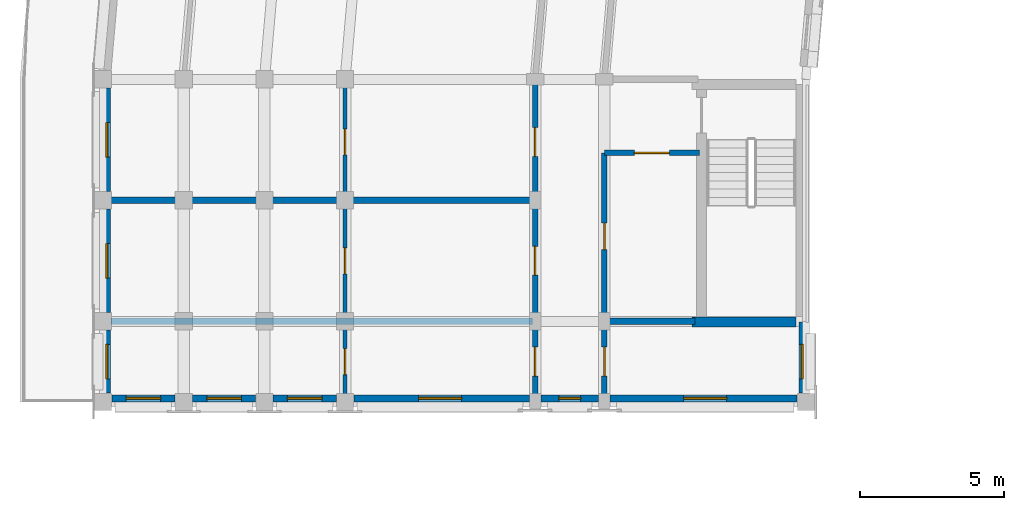
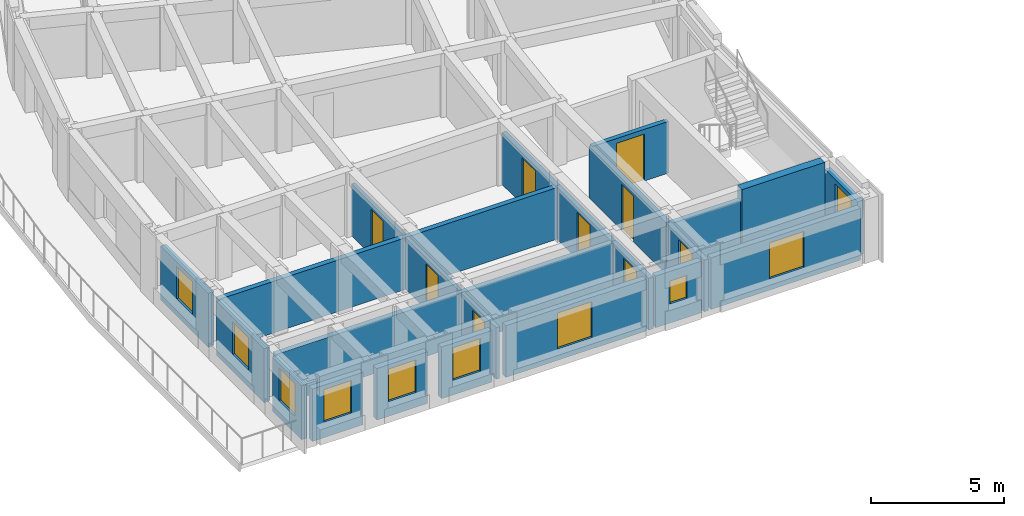
# One storey, part 11 of 32: 23 walls, 10 windows, 9 doors, 19 openings.
"""IFC4 building model written with IfcOpenShell, lengths in metres."""

from ifc_helpers import new_model, si_unit, direction, frame, frame_2d, origin, place, context, subcontext, project, spatial, rectangle, extrude, material, layer, layer_set, type_object, element, fill, save


model = new_model("IFC4")

# Units and contexts
model_context = context("Model", 3, precision=1e-05, world=origin(), true_north=direction((0.0, 1.0)))
body_context = subcontext(model_context, "Body", "Model", "MODEL_VIEW")
ifc_project = project(units=[si_unit("LENGTHUNIT", "METRE"), si_unit("AREAUNIT", "SQUARE_METRE"), si_unit("VOLUMEUNIT", "CUBIC_METRE"), si_unit("PLANEANGLEUNIT", "RADIAN"), si_unit("MASSUNIT", "GRAM", prefix="KILO")], contexts=[model_context])

# Site, building, storey
site_placement = place(None, origin())
site = spatial("IfcSite", under=ifc_project, at=site_placement, CompositionType="ELEMENT")
building_placement = place(site_placement, origin())
building = spatial("IfcBuilding", under=site, at=building_placement, Name="Kiranvali Square Residences", CompositionType="ELEMENT")
storey_placement = place(building_placement, frame((0.0, 0.0, 40.199951171875)))
storey = spatial("IfcBuildingStorey", under=building, at=storey_placement, Name="L12", CompositionType="ELEMENT", Elevation=40.199951171875)

# Wall, opening, door
ifc_material_1 = material(Name="Autoclaved aerated concrete blockwork masonry", Category="masonry")
ifc_layer_1 = layer(ifc_material_1, 0.199951171875)
ifc_layer_set_1 = layer_set([ifc_layer_1], Name="Autoclaved aerated concrete blockwork masonry")
wall_type_1 = type_object("IfcWallType", Name="WL-COR-200", PredefinedType="STANDARD", material=ifc_layer_set_1)
wall_1_placement = place(storey_placement, frame((25.699951171875, 85.25, 0.0), z_axis=(0.0, 0.0, 1.0), x_axis=(-1.0, 0.0, 0.0)))
wall_1 = element("IfcWall", 1, at=wall_1_placement, inside=storey, type_object=wall_type_1, Name="L12 architectural wall WL-L12-A-S3-V", PredefinedType="STANDARD", context=body_context, shape_type="SweptSolid", body=[
    extrude(rectangle(XDim=3.300048828125, YDim=0.199951171875, at=frame_2d((1.64990234375, 0.0))), origin(), (0.0, 0.0, 1.0), 2.3720703125),
])
opening_1_placement = place(wall_1_placement, frame((1.0400390625, 0.0, 0.0)))
opening_1 = element("IfcOpeningElement", 2, at=opening_1_placement, cuts=wall_1, Name="Opening FD-COR-60", PredefinedType="OPENING", context=body_context, shape_type="SweptSolid", body=[
    extrude(rectangle(XDim=1.219970703125, YDim=2.14990234375, at=frame_2d((0.60986328125, 1.074951171875))), frame((0.0, 0.10986328125, 0.0), z_axis=(0.0, -1.0, 0.0), x_axis=(1.0, 0.0, 0.0)), (0.0, 0.0, 1.0), 0.219970703125),
])
ifc_material_2 = material(Name="Fire-rated acoustic hardwood and mineral-core door assembly", Category="wood")
door_type_1 = type_object("IfcDoorType", Name="DR-FD60-1200", OperationType="NOTDEFINED", PredefinedType="DOOR", material=ifc_material_2)
door_1_placement = place(opening_1_placement, origin())
door_1 = element("IfcDoor", 3, at=door_1_placement, inside=storey, type_object=door_type_1, Name="L12 door DR-L12-0749 (DR-FD60-1200)", OperationType="SINGLE_SWING_LEFT", OverallHeight=2.14990234375, OverallWidth=1.219970703125, PredefinedType="DOOR", context=body_context, shape_type="SweptSolid", body=[
    extrude(rectangle(XDim=1.219970703125, YDim=2.14990234375, at=frame_2d((0.60986328125, 1.074951171875))), frame((0.0, 0.02490234375, 0.0), z_axis=(0.0, -1.0, 0.0), x_axis=(1.0, 0.0, 0.0)), (0.0, 0.0, 1.0), 0.050048828125),
])
fill(opening_1, door_1)

wall_2_placement = place(storey_placement, frame((22.39990234375, 85.25, 0.0), z_axis=(0.0, 0.0, 1.0), x_axis=(0.0, -1.0, 0.0)))
wall_2 = element("IfcWall", 4, at=wall_2_placement, inside=storey, type_object=wall_type_1, Name="L12 architectural wall WL-L12-A-S3-COR", PredefinedType="STANDARD", context=body_context, shape_type="SweptSolid", body=[
    extrude(rectangle(XDim=5.800048828125, YDim=0.199951171875, at=frame_2d((2.89990234375, 0.0))), origin(), (0.0, 0.0, 1.0), 2.3720703125),
])
opening_2_placement = place(wall_2_placement, frame((2.43994140625, 0.0, 0.0)))
opening_2 = element("IfcOpeningElement", 5, at=opening_2_placement, cuts=wall_2, Name="Opening FD-SVC-120", PredefinedType="OPENING", context=body_context, shape_type="SweptSolid", body=[
    extrude(rectangle(XDim=0.919921875, YDim=2.10009765625, at=frame_2d((0.4599609375, 1.050048828125))), frame((0.0, 0.10986328125, 0.0), z_axis=(0.0, -1.0, 0.0), x_axis=(1.0, 0.0, 0.0)), (0.0, 0.0, 1.0), 0.219970703125),
])
door_type_2 = type_object("IfcDoorType", Name="DR-SVC-900", OperationType="NOTDEFINED", PredefinedType="DOOR", material=ifc_material_2)
door_2_placement = place(opening_2_placement, frame((0.919921875, 0.0, 0.0), z_axis=(0.0, 0.0, 1.0), x_axis=(-1.0, 0.0, 0.0)))
door_2 = element("IfcDoor", 6, at=door_2_placement, inside=storey, type_object=door_type_2, Name="L12 door DR-L12-0750 (DR-SVC-900)", OperationType="SINGLE_SWING_RIGHT", OverallHeight=2.10009765625, OverallWidth=0.919921875, PredefinedType="DOOR", context=body_context, shape_type="SweptSolid", body=[
    extrude(rectangle(XDim=0.919921875, YDim=2.10009765625, at=frame_2d((0.4599609375, 1.050048828125))), frame((0.0, 0.02490234375, 0.0), z_axis=(0.0, -1.0, 0.0), x_axis=(1.0, 0.0, 0.0)), (0.0, 0.0, 1.0), 0.050048828125),
])
fill(opening_2, door_2)

wall_3_placement = place(storey_placement, frame((20.0, 87.64990234375, 0.0), z_axis=(0.0, 0.0, 1.0), x_axis=(0.0, -1.0, 0.0)))
wall_3 = element("IfcWall", 7, at=wall_3_placement, inside=storey, type_object=wall_type_1, Name="L12 architectural wall WL-L12-A-A2CF-C0", PredefinedType="STANDARD", context=body_context, shape_type="SweptSolid", body=[
    extrude(rectangle(XDim=4.0498046875, YDim=0.199951171875, at=frame_2d((2.02490234375, 0.0))), origin(), (0.0, 0.0, 1.0), 2.3720703125),
])
opening_3_placement = place(wall_3_placement, frame((1.52490234375, 0.0, 0.0)))
opening_3 = element("IfcOpeningElement", 8, at=opening_3_placement, cuts=wall_3, Name="Opening FD-APT-60", PredefinedType="OPENING", context=body_context, shape_type="SweptSolid", body=[
    extrude(rectangle(XDim=1.0, YDim=2.14990234375, at=frame_2d((0.5, 1.074951171875))), frame((0.0, 0.10986328125, 0.0), z_axis=(0.0, -1.0, 0.0), x_axis=(1.0, 0.0, 0.0)), (0.0, 0.0, 1.0), 0.219970703125),
])
door_type_3 = type_object("IfcDoorType", Name="DR-APT-1000", OperationType="NOTDEFINED", PredefinedType="DOOR", material=ifc_material_2)
door_3_placement = place(opening_3_placement, origin())
door_3 = element("IfcDoor", 9, at=door_3_placement, inside=storey, type_object=door_type_3, Name="L12 door DR-L12-0785 (DR-APT-1000)", OperationType="SINGLE_SWING_LEFT", OverallHeight=2.14990234375, OverallWidth=1.0, PredefinedType="DOOR", context=body_context, shape_type="SweptSolid", body=[
    extrude(rectangle(XDim=1.0, YDim=2.14990234375, at=frame_2d((0.5, 1.074951171875))), frame((0.0, 0.02490234375, 0.0), z_axis=(0.0, -1.0, 0.0), x_axis=(1.0, 0.0, 0.0)), (0.0, 0.0, 1.0), 0.050048828125),
])
fill(opening_3, door_3)

wall_4_placement = place(storey_placement, frame((20.0, 83.60009765625, 0.0), z_axis=(0.0, 0.0, 1.0), x_axis=(0.0, -1.0, 0.0)))
wall_4 = element("IfcWall", 10, at=wall_4_placement, inside=storey, type_object=wall_type_1, Name="L12 architectural wall WL-L12-A-A2CF-C1", PredefinedType="STANDARD", context=body_context, shape_type="SweptSolid", body=[
    extrude(rectangle(XDim=4.2001953125, YDim=0.199951171875, at=frame_2d((2.10009765625, 0.0))), origin(), (0.0, 0.0, 1.0), 2.3720703125),
])
opening_4_placement = place(wall_4_placement, frame((1.60009765625, 0.0, 0.0)))
opening_4 = element("IfcOpeningElement", 11, at=opening_4_placement, cuts=wall_4, Name="Opening FD-APT-60", PredefinedType="OPENING", context=body_context, shape_type="SweptSolid", body=[
    extrude(rectangle(XDim=1.0, YDim=2.14990234375, at=frame_2d((0.5, 1.074951171875))), frame((0.0, 0.10986328125, 0.0), z_axis=(0.0, -1.0, 0.0), x_axis=(1.0, 0.0, 0.0)), (0.0, 0.0, 1.0), 0.219970703125),
])
door_4_placement = place(opening_4_placement, origin())
door_4 = element("IfcDoor", 12, at=door_4_placement, inside=storey, type_object=door_type_3, Name="L12 door DR-L12-0787 (DR-APT-1000)", OperationType="SINGLE_SWING_LEFT", OverallHeight=2.14990234375, OverallWidth=1.0, PredefinedType="DOOR", context=body_context, shape_type="SweptSolid", body=[
    extrude(rectangle(XDim=1.0, YDim=2.14990234375, at=frame_2d((0.5, 1.074951171875))), frame((0.0, 0.02490234375, 0.0), z_axis=(0.0, -1.0, 0.0), x_axis=(1.0, 0.0, 0.0)), (0.0, 0.0, 1.0), 0.050048828125),
])
fill(opening_4, door_4)

wall_5_placement = place(storey_placement, frame((22.39990234375, 79.39990234375, 0.0), z_axis=(0.0, 0.0, 1.0), x_axis=(0.0, -1.0, 0.0)))
wall_5 = element("IfcWall", 13, at=wall_5_placement, inside=storey, type_object=wall_type_1, Name="L12 architectural wall WL-L12-A-A2CI-0", PredefinedType="STANDARD", context=body_context, shape_type="SweptSolid", body=[
    extrude(rectangle(XDim=2.7998046875, YDim=0.199951171875, at=frame_2d((1.39990234375, 0.0))), origin(), (0.0, 0.0, 1.0), 2.3720703125),
])
opening_5_placement = place(wall_5_placement, frame((0.89990234375, 0.0, 0.0)))
opening_5 = element("IfcOpeningElement", 14, at=opening_5_placement, cuts=wall_5, Name="Opening FD-APT-60", PredefinedType="OPENING", context=body_context, shape_type="SweptSolid", body=[
    extrude(rectangle(XDim=1.0, YDim=2.14990234375, at=frame_2d((0.5, 1.074951171875))), frame((0.0, 0.10986328125, 0.0), z_axis=(0.0, -1.0, 0.0), x_axis=(1.0, 0.0, 0.0)), (0.0, 0.0, 1.0), 0.219970703125),
])
door_5_placement = place(opening_5_placement, origin())
door_5 = element("IfcDoor", 15, at=door_5_placement, inside=storey, type_object=door_type_3, Name="L12 door DR-L12-0789 (DR-APT-1000)", OperationType="SINGLE_SWING_LEFT", OverallHeight=2.14990234375, OverallWidth=1.0, PredefinedType="DOOR", context=body_context, shape_type="SweptSolid", body=[
    extrude(rectangle(XDim=1.0, YDim=2.14990234375, at=frame_2d((0.5, 1.074951171875))), frame((0.0, 0.02490234375, 0.0), z_axis=(0.0, -1.0, 0.0), x_axis=(1.0, 0.0, 0.0)), (0.0, 0.0, 1.0), 0.050048828125),
])
fill(opening_5, door_5)

wall_6_placement = place(storey_placement, frame((20.0, 79.39990234375, 0.0), z_axis=(0.0, 0.0, 1.0), x_axis=(0.0, -1.0, 0.0)))
wall_6 = element("IfcWall", 16, at=wall_6_placement, inside=storey, type_object=wall_type_1, Name="L12 architectural wall WL-L12-A-A2CO-0", PredefinedType="STANDARD", context=body_context, shape_type="SweptSolid", body=[
    extrude(rectangle(XDim=2.7998046875, YDim=0.199951171875, at=frame_2d((1.39990234375, 0.0))), origin(), (0.0, 0.0, 1.0), 2.3720703125),
])
opening_6_placement = place(wall_6_placement, frame((0.89990234375, 0.0, 0.0)))
opening_6 = element("IfcOpeningElement", 17, at=opening_6_placement, cuts=wall_6, Name="Opening FD-APT-60", PredefinedType="OPENING", context=body_context, shape_type="SweptSolid", body=[
    extrude(rectangle(XDim=1.0, YDim=2.14990234375, at=frame_2d((0.5, 1.074951171875))), frame((0.0, 0.10986328125, 0.0), z_axis=(0.0, -1.0, 0.0), x_axis=(1.0, 0.0, 0.0)), (0.0, 0.0, 1.0), 0.219970703125),
])
door_6_placement = place(opening_6_placement, origin())
door_6 = element("IfcDoor", 18, at=door_6_placement, inside=storey, type_object=door_type_3, Name="L12 door DR-L12-0791 (DR-APT-1000)", OperationType="SINGLE_SWING_LEFT", OverallHeight=2.14990234375, OverallWidth=1.0, PredefinedType="DOOR", context=body_context, shape_type="SweptSolid", body=[
    extrude(rectangle(XDim=1.0, YDim=2.14990234375, at=frame_2d((0.5, 1.074951171875))), frame((0.0, 0.02490234375, 0.0), z_axis=(0.0, -1.0, 0.0), x_axis=(1.0, 0.0, 0.0)), (0.0, 0.0, 1.0), 0.050048828125),
])
fill(opening_6, door_6)

# Walls
ifc_layer_2 = layer(ifc_material_1, 0.219970703125)
ifc_layer_set_2 = layer_set([ifc_layer_2], Name="Autoclaved aerated concrete blockwork masonry")
wall_type_2 = type_object("IfcWallType", Name="WL-DEM-220", PredefinedType="STANDARD", material=ifc_layer_set_2)
wall_7_placement = place(storey_placement, frame((19.949951171875, 83.60009765625, 0.0), z_axis=(0.0, 0.0, 1.0), x_axis=(-1.0, 0.0, 0.0)))
element("IfcWall", 19, at=wall_7_placement, inside=storey, type_object=wall_type_2, Name="L12 architectural wall WL-L12-A-A2CF-MID", PredefinedType="STANDARD", context=body_context, shape_type="SweptSolid", body=[
    extrude(rectangle(XDim=14.72998046875, YDim=0.219970703125, at=frame_2d((7.364990234375, 0.0))), origin(), (0.0, 0.0, 1.0), 2.3720703125),
])
wall_8_placement = place(storey_placement, frame((25.550048828125, 79.39990234375, 0.0), z_axis=(0.0, 0.0, 1.0), x_axis=(-1.0, 0.0, 0.0)))
element("IfcWall", 20, at=wall_8_placement, inside=storey, type_object=wall_type_2, Name="L12 architectural wall WL-L12-A-A2TI-0", PredefinedType="STANDARD", context=body_context, shape_type="SweptSolid", body=[
    extrude(rectangle(XDim=3.10009765625, YDim=0.219970703125, at=frame_2d((1.550048828125, 0.0))), origin(), (0.0, 0.0, 1.0), 2.3720703125),
])
wall_9_placement = place(storey_placement, frame((19.89990234375, 79.39990234375, 0.0), z_axis=(0.0, 0.0, 1.0), x_axis=(-1.0, 0.0, 0.0)))
element("IfcWall", 21, at=wall_9_placement, inside=storey, type_object=wall_type_2, Name="L12 architectural wall WL-L12-A-A2TO-0", PredefinedType="STANDARD", context=body_context, shape_type="SweptSolid", body=[
    extrude(rectangle(XDim=14.619873046875, YDim=0.219970703125, at=frame_2d((7.31005859375, 0.0))), origin(), (0.0, 0.0, 1.0), 2.3720703125),
])

# Wall, opening, window
ifc_material_3 = material(Name="Breathable lime-rendered clay brick masonry", Category="masonry")
ifc_layer_3 = layer(ifc_material_3, 0.25)
ifc_layer_set_3 = layer_set([ifc_layer_3], Name="Breathable lime-rendered clay brick masonry")
wall_type_3 = type_object("IfcWallType", Name="WL-EXT-250", PredefinedType="STANDARD", material=ifc_layer_set_3)
wall_10_placement = place(storey_placement, frame((5.125, 87.49658203125, 0.0), z_axis=(0.0, 0.0, 1.0), x_axis=(0.0, -1.0, 0.0)))
wall_10 = element("IfcWall", 22, at=wall_10_placement, inside=storey, type_object=wall_type_3, Name="L12 exterior wall A-L12-A2O-0", PredefinedType="STANDARD", context=body_context, shape_type="SweptSolid", body=[
    extrude(rectangle(XDim=3.593017578125, YDim=0.25, at=frame_2d((1.79638671875, 0.0))), origin(), (0.0, 0.0, 1.0), 2.47998046875),
])
opening_7_placement = place(wall_10_placement, frame((1.196533203125, 0.0, 0.780029296875)))
opening_7 = element("IfcOpeningElement", 23, at=opening_7_placement, cuts=wall_10, Name="Opening W-06", PredefinedType="OPENING", context=body_context, shape_type="SweptSolid", body=[
    extrude(rectangle(XDim=1.199951171875, YDim=1.5, at=frame_2d((0.60009765625, 0.75))), frame((0.0, 0.135009765625, 0.0), z_axis=(0.0, -1.0, 0.0), x_axis=(1.0, 0.0, 0.0)), (0.0, 0.0, 1.0), 0.27001953125),
])
ifc_material_4 = material(Name="Solar-control low-e double glazing", Category="glass")
window_type_1 = type_object("IfcWindowType", Name="WIN-RES-1200x1500", PartitioningType="SINGLE_PANEL", PredefinedType="WINDOW", material=ifc_material_4)
window_1_placement = place(opening_7_placement, origin())
window_1 = element("IfcWindow", 24, at=window_1_placement, inside=storey, type_object=window_type_1, Name="L12 recessed window A-L12-A2O-0", OverallHeight=1.5, OverallWidth=1.199951171875, PartitioningType="SINGLE_PANEL", PredefinedType="WINDOW", context=body_context, shape_type="SweptSolid", body=[
    extrude(rectangle(XDim=1.199951171875, YDim=1.5, at=frame_2d((0.60009765625, 0.75))), frame((0.0, 0.030029296875, 0.0), z_axis=(0.0, -1.0, 0.0), x_axis=(1.0, 0.0, 0.0)), (0.0, 0.0, 1.0), 0.06005859375),
])
fill(opening_7, window_1)

wall_11_placement = place(storey_placement, frame((5.125, 83.29638671875, 0.0), z_axis=(0.0, 0.0, 1.0), x_axis=(0.0, -1.0, 0.0)))
wall_11 = element("IfcWall", 25, at=wall_11_placement, inside=storey, type_object=wall_type_3, Name="L12 exterior wall A-L12-A2O-1", PredefinedType="STANDARD", context=body_context, shape_type="SweptSolid", body=[
    extrude(rectangle(XDim=3.5927734375, YDim=0.25, at=frame_2d((1.79638671875, 0.0))), origin(), (0.0, 0.0, 1.0), 2.47998046875),
])
opening_8_placement = place(wall_11_placement, frame((1.196533203125, 0.0, 0.780029296875)))
opening_8 = element("IfcOpeningElement", 26, at=opening_8_placement, cuts=wall_11, Name="Opening W-06", PredefinedType="OPENING", context=body_context, shape_type="SweptSolid", body=[
    extrude(rectangle(XDim=1.199951171875, YDim=1.5, at=frame_2d((0.60009765625, 0.75))), frame((0.0, 0.135009765625, 0.0), z_axis=(0.0, -1.0, 0.0), x_axis=(1.0, 0.0, 0.0)), (0.0, 0.0, 1.0), 0.27001953125),
])
window_2_placement = place(opening_8_placement, origin())
window_2 = element("IfcWindow", 27, at=window_2_placement, inside=storey, type_object=window_type_1, Name="L12 recessed window A-L12-A2O-1", OverallHeight=1.5, OverallWidth=1.199951171875, PartitioningType="SINGLE_PANEL", PredefinedType="WINDOW", context=body_context, shape_type="SweptSolid", body=[
    extrude(rectangle(XDim=1.199951171875, YDim=1.5, at=frame_2d((0.60009765625, 0.75))), frame((0.0, 0.030029296875, 0.0), z_axis=(0.0, -1.0, 0.0), x_axis=(1.0, 0.0, 0.0)), (0.0, 0.0, 1.0), 0.06005859375),
])
fill(opening_8, window_2)

wall_12_placement = place(storey_placement, frame((5.125, 79.096435546875, 0.0), z_axis=(0.0, 0.0, 1.0), x_axis=(0.0, -1.0, 0.0)))
wall_12 = element("IfcWall", 28, at=wall_12_placement, inside=storey, type_object=wall_type_3, Name="L12 exterior wall A-L12-A2O-2", PredefinedType="STANDARD", context=body_context, shape_type="SweptSolid", body=[
    extrude(rectangle(XDim=2.19287109375, YDim=0.25, at=frame_2d((1.096435546875, 0.0))), origin(), (0.0, 0.0, 1.0), 2.47998046875),
])
opening_9_placement = place(wall_12_placement, frame((0.49658203125, 0.0, 0.780029296875)))
opening_9 = element("IfcOpeningElement", 29, at=opening_9_placement, cuts=wall_12, Name="Opening W-06", PredefinedType="OPENING", context=body_context, shape_type="SweptSolid", body=[
    extrude(rectangle(XDim=1.199951171875, YDim=1.5, at=frame_2d((0.60009765625, 0.75))), frame((0.0, 0.135009765625, 0.0), z_axis=(0.0, -1.0, 0.0), x_axis=(1.0, 0.0, 0.0)), (0.0, 0.0, 1.0), 0.27001953125),
])
window_3_placement = place(opening_9_placement, origin())
window_3 = element("IfcWindow", 30, at=window_3_placement, inside=storey, type_object=window_type_1, Name="L12 recessed window A-L12-A2O-2", OverallHeight=1.5, OverallWidth=1.199951171875, PartitioningType="SINGLE_PANEL", PredefinedType="WINDOW", context=body_context, shape_type="SweptSolid", body=[
    extrude(rectangle(XDim=1.199951171875, YDim=1.5, at=frame_2d((0.60009765625, 0.75))), frame((0.0, 0.030029296875, 0.0), z_axis=(0.0, -1.0, 0.0), x_axis=(1.0, 0.0, 0.0)), (0.0, 0.0, 1.0), 0.06005859375),
])
fill(opening_9, window_3)

wall_13_placement = place(storey_placement, frame((29.27490234375, 79.37158203125, 0.0), z_axis=(0.0, 0.0, 1.0), x_axis=(0.0, -1.0, 0.0)))
wall_13 = element("IfcWall", 31, at=wall_13_placement, inside=storey, type_object=wall_type_3, Name="L12 exterior wall A-L12-A2I-0", PredefinedType="STANDARD", context=body_context, shape_type="SweptSolid", body=[
    extrude(rectangle(XDim=2.468017578125, YDim=0.25, at=frame_2d((1.23388671875, 0.0))), origin(), (0.0, 0.0, 1.0), 2.47216796875),
])
opening_10_placement = place(wall_13_placement, frame((0.771484375, 0.0, 0.77197265625)))
opening_10 = element("IfcOpeningElement", 32, at=opening_10_placement, cuts=wall_13, Name="Opening W-06", PredefinedType="OPENING", context=body_context, shape_type="SweptSolid", body=[
    extrude(rectangle(XDim=1.199951171875, YDim=1.5, at=frame_2d((0.60009765625, 0.75))), frame((0.0, 0.135009765625, 0.0), z_axis=(0.0, -1.0, 0.0), x_axis=(1.0, 0.0, 0.0)), (0.0, 0.0, 1.0), 0.27001953125),
])
window_4_placement = place(opening_10_placement, origin())
window_4 = element("IfcWindow", 33, at=window_4_placement, inside=storey, type_object=window_type_1, Name="L12 recessed window A-L12-A2I-0", OverallHeight=1.5, OverallWidth=1.199951171875, PartitioningType="SINGLE_PANEL", PredefinedType="WINDOW", context=body_context, shape_type="SweptSolid", body=[
    extrude(rectangle(XDim=1.199951171875, YDim=1.5, at=frame_2d((0.60009765625, 0.75))), frame((0.0, 0.030029296875, 0.0), z_axis=(0.0, -1.0, 0.0), x_axis=(1.0, 0.0, 0.0)), (0.0, 0.0, 1.0), 0.06005859375),
])
fill(opening_10, window_4)

wall_14_placement = place(storey_placement, frame((29.096435546875, 76.72509765625, 0.0), z_axis=(0.0, 0.0, 1.0), x_axis=(-1.0, 0.0, 0.0)))
wall_14 = element("IfcWall", 34, at=wall_14_placement, inside=storey, type_object=wall_type_3, Name="L12 exterior wall A-L12-A2END-0", PredefinedType="STANDARD", context=body_context, shape_type="SweptSolid", body=[
    extrude(rectangle(XDim=6.492919921875, YDim=0.25, at=frame_2d((3.24658203125, 0.0))), origin(), (0.0, 0.0, 1.0), 2.3720703125),
])
opening_11_placement = place(wall_14_placement, frame((2.446533203125, 0.0, 0.52197265625)))
opening_11 = element("IfcOpeningElement", 35, at=opening_11_placement, cuts=wall_14, Name="Opening W-05", PredefinedType="OPENING", context=body_context, shape_type="SweptSolid", body=[
    extrude(rectangle(XDim=1.5, YDim=1.64990234375, at=frame_2d((0.75, 0.824951171875))), frame((0.0, 0.135009765625, 0.0), z_axis=(0.0, -1.0, 0.0), x_axis=(1.0, 0.0, 0.0)), (0.0, 0.0, 1.0), 0.27001953125),
])
window_type_2 = type_object("IfcWindowType", Name="WIN-RES-1500x1650", PartitioningType="DOUBLE_PANEL_VERTICAL", PredefinedType="WINDOW", material=ifc_material_4)
window_5_placement = place(opening_11_placement, origin())
window_5 = element("IfcWindow", 36, at=window_5_placement, inside=storey, type_object=window_type_2, Name="L12 recessed window A-L12-A2END-0", OverallHeight=1.64990234375, OverallWidth=1.5, PartitioningType="DOUBLE_PANEL_VERTICAL", PredefinedType="WINDOW", context=body_context, shape_type="SweptSolid", body=[
    extrude(rectangle(XDim=1.5, YDim=1.64990234375, at=frame_2d((0.75, 0.824951171875))), frame((0.0, 0.030029296875, 0.0), z_axis=(0.0, -1.0, 0.0), x_axis=(1.0, 0.0, 0.0)), (0.0, 0.0, 1.0), 0.06005859375),
])
fill(opening_11, window_5)

wall_15_placement = place(storey_placement, frame((22.196533203125, 76.72509765625, 0.0), z_axis=(0.0, 0.0, 1.0), x_axis=(-1.0, 0.0, 0.0)))
wall_15 = element("IfcWall", 37, at=wall_15_placement, inside=storey, type_object=wall_type_3, Name="L12 exterior wall A-L12-A2END-1", PredefinedType="STANDARD", context=body_context, shape_type="SweptSolid", body=[
    extrude(rectangle(XDim=1.992919921875, YDim=0.25, at=frame_2d((0.99658203125, 0.0))), origin(), (0.0, 0.0, 1.0), 2.3720703125),
])
opening_12_placement = place(wall_15_placement, frame((0.62158203125, 0.0, 0.8798828125)))
opening_12 = element("IfcOpeningElement", 38, at=opening_12_placement, cuts=wall_15, Name="Opening W-07", PredefinedType="OPENING", context=body_context, shape_type="SweptSolid", body=[
    extrude(rectangle(XDim=0.75, YDim=1.050048828125, at=frame_2d((0.375, 0.52490234375))), frame((0.0, 0.135009765625, 0.0), z_axis=(0.0, -1.0, 0.0), x_axis=(1.0, 0.0, 0.0)), (0.0, 0.0, 1.0), 0.27001953125),
])
window_type_3 = type_object("IfcWindowType", Name="WIN-WET-750x1050", PartitioningType="SINGLE_PANEL", PredefinedType="WINDOW", material=ifc_material_4)
window_6_placement = place(opening_12_placement, origin())
window_6 = element("IfcWindow", 39, at=window_6_placement, inside=storey, type_object=window_type_3, Name="L12 recessed window A-L12-A2END-1", OverallHeight=1.050048828125, OverallWidth=0.75, PartitioningType="SINGLE_PANEL", PredefinedType="WINDOW", context=body_context, shape_type="SweptSolid", body=[
    extrude(rectangle(XDim=0.75, YDim=1.050048828125, at=frame_2d((0.375, 0.52490234375))), frame((0.0, 0.030029296875, 0.0), z_axis=(0.0, -1.0, 0.0), x_axis=(1.0, 0.0, 0.0)), (0.0, 0.0, 1.0), 0.06005859375),
])
fill(opening_12, window_6)

wall_16_placement = place(storey_placement, frame((19.79638671875, 76.72509765625, 0.0), z_axis=(0.0, 0.0, 1.0), x_axis=(-1.0, 0.0, 0.0)))
wall_16 = element("IfcWall", 40, at=wall_16_placement, inside=storey, type_object=wall_type_3, Name="L12 exterior wall A-L12-A2END-2", PredefinedType="STANDARD", context=body_context, shape_type="SweptSolid", body=[
    extrude(rectangle(XDim=6.0927734375, YDim=0.25, at=frame_2d((3.04638671875, 0.0))), origin(), (0.0, 0.0, 1.0), 2.3720703125),
])
opening_13_placement = place(wall_16_placement, frame((2.346435546875, 0.0, 0.52197265625)))
opening_13 = element("IfcOpeningElement", 41, at=opening_13_placement, cuts=wall_16, Name="Opening W-05", PredefinedType="OPENING", context=body_context, shape_type="SweptSolid", body=[
    extrude(rectangle(XDim=1.5, YDim=1.64990234375, at=frame_2d((0.75, 0.824951171875))), frame((0.0, 0.135009765625, 0.0), z_axis=(0.0, -1.0, 0.0), x_axis=(1.0, 0.0, 0.0)), (0.0, 0.0, 1.0), 0.27001953125),
])
window_7_placement = place(opening_13_placement, origin())
window_7 = element("IfcWindow", 42, at=window_7_placement, inside=storey, type_object=window_type_2, Name="L12 recessed window A-L12-A2END-2", OverallHeight=1.64990234375, OverallWidth=1.5, PartitioningType="DOUBLE_PANEL_VERTICAL", PredefinedType="WINDOW", context=body_context, shape_type="SweptSolid", body=[
    extrude(rectangle(XDim=1.5, YDim=1.64990234375, at=frame_2d((0.75, 0.824951171875))), frame((0.0, 0.030029296875, 0.0), z_axis=(0.0, -1.0, 0.0), x_axis=(1.0, 0.0, 0.0)), (0.0, 0.0, 1.0), 0.06005859375),
])
fill(opening_13, window_7)

wall_17_placement = place(storey_placement, frame((13.096435546875, 76.72509765625, 0.0), z_axis=(0.0, 0.0, 1.0), x_axis=(-1.0, 0.0, 0.0)))
wall_17 = element("IfcWall", 43, at=wall_17_placement, inside=storey, type_object=wall_type_3, Name="L12 exterior wall A-L12-A2END-3", PredefinedType="STANDARD", context=body_context, shape_type="SweptSolid", body=[
    extrude(rectangle(XDim=2.19287109375, YDim=0.25, at=frame_2d((1.096435546875, 0.0))), origin(), (0.0, 0.0, 1.0), 2.3720703125),
])
opening_14_placement = place(wall_17_placement, frame((0.49658203125, 0.0, 0.672119140625)))
opening_14 = element("IfcOpeningElement", 44, at=opening_14_placement, cuts=wall_17, Name="Opening W-06", PredefinedType="OPENING", context=body_context, shape_type="SweptSolid", body=[
    extrude(rectangle(XDim=1.199951171875, YDim=1.5, at=frame_2d((0.60009765625, 0.75))), frame((0.0, 0.135009765625, 0.0), z_axis=(0.0, -1.0, 0.0), x_axis=(1.0, 0.0, 0.0)), (0.0, 0.0, 1.0), 0.27001953125),
])
window_8_placement = place(opening_14_placement, origin())
window_8 = element("IfcWindow", 45, at=window_8_placement, inside=storey, type_object=window_type_1, Name="L12 recessed window A-L12-A2END-3", OverallHeight=1.5, OverallWidth=1.199951171875, PartitioningType="SINGLE_PANEL", PredefinedType="WINDOW", context=body_context, shape_type="SweptSolid", body=[
    extrude(rectangle(XDim=1.199951171875, YDim=1.5, at=frame_2d((0.60009765625, 0.75))), frame((0.0, 0.030029296875, 0.0), z_axis=(0.0, -1.0, 0.0), x_axis=(1.0, 0.0, 0.0)), (0.0, 0.0, 1.0), 0.06005859375),
])
fill(opening_14, window_8)

wall_18_placement = place(storey_placement, frame((10.29638671875, 76.72509765625, 0.0), z_axis=(0.0, 0.0, 1.0), x_axis=(-1.0, 0.0, 0.0)))
wall_18 = element("IfcWall", 46, at=wall_18_placement, inside=storey, type_object=wall_type_3, Name="L12 exterior wall A-L12-A2END-4", PredefinedType="STANDARD", context=body_context, shape_type="SweptSolid", body=[
    extrude(rectangle(XDim=2.19287109375, YDim=0.25, at=frame_2d((1.096435546875, 0.0))), origin(), (0.0, 0.0, 1.0), 2.3720703125),
])
opening_15_placement = place(wall_18_placement, frame((0.49658203125, 0.0, 0.672119140625)))
opening_15 = element("IfcOpeningElement", 47, at=opening_15_placement, cuts=wall_18, Name="Opening W-06", PredefinedType="OPENING", context=body_context, shape_type="SweptSolid", body=[
    extrude(rectangle(XDim=1.199951171875, YDim=1.5, at=frame_2d((0.60009765625, 0.75))), frame((0.0, 0.135009765625, 0.0), z_axis=(0.0, -1.0, 0.0), x_axis=(1.0, 0.0, 0.0)), (0.0, 0.0, 1.0), 0.27001953125),
])
window_9_placement = place(opening_15_placement, origin())
window_9 = element("IfcWindow", 48, at=window_9_placement, inside=storey, type_object=window_type_1, Name="L12 recessed window A-L12-A2END-4", OverallHeight=1.5, OverallWidth=1.199951171875, PartitioningType="SINGLE_PANEL", PredefinedType="WINDOW", context=body_context, shape_type="SweptSolid", body=[
    extrude(rectangle(XDim=1.199951171875, YDim=1.5, at=frame_2d((0.60009765625, 0.75))), frame((0.0, 0.030029296875, 0.0), z_axis=(0.0, -1.0, 0.0), x_axis=(1.0, 0.0, 0.0)), (0.0, 0.0, 1.0), 0.06005859375),
])
fill(opening_15, window_9)

wall_19_placement = place(storey_placement, frame((7.49658203125, 76.72509765625, 0.0), z_axis=(0.0, 0.0, 1.0), x_axis=(-1.0, 0.0, 0.0)))
wall_19 = element("IfcWall", 49, at=wall_19_placement, inside=storey, type_object=wall_type_3, Name="L12 exterior wall A-L12-A2END-5", PredefinedType="STANDARD", context=body_context, shape_type="SweptSolid", body=[
    extrude(rectangle(XDim=2.193115234375, YDim=0.25, at=frame_2d((1.0966796875, 0.0))), origin(), (0.0, 0.0, 1.0), 2.412109375),
])
opening_16_placement = place(wall_19_placement, frame((0.49658203125, 0.0, 0.7119140625)))
opening_16 = element("IfcOpeningElement", 50, at=opening_16_placement, cuts=wall_19, Name="Opening W-06", PredefinedType="OPENING", context=body_context, shape_type="SweptSolid", body=[
    extrude(rectangle(XDim=1.199951171875, YDim=1.5, at=frame_2d((0.60009765625, 0.75))), frame((0.0, 0.135009765625, 0.0), z_axis=(0.0, -1.0, 0.0), x_axis=(1.0, 0.0, 0.0)), (0.0, 0.0, 1.0), 0.27001953125),
])
window_10_placement = place(opening_16_placement, origin())
window_10 = element("IfcWindow", 51, at=window_10_placement, inside=storey, type_object=window_type_1, Name="L12 recessed window A-L12-A2END-5", OverallHeight=1.5, OverallWidth=1.199951171875, PartitioningType="SINGLE_PANEL", PredefinedType="WINDOW", context=body_context, shape_type="SweptSolid", body=[
    extrude(rectangle(XDim=1.199951171875, YDim=1.5, at=frame_2d((0.60009765625, 0.75))), frame((0.0, 0.030029296875, 0.0), z_axis=(0.0, -1.0, 0.0), x_axis=(1.0, 0.0, 0.0)), (0.0, 0.0, 1.0), 0.06005859375),
])
fill(opening_16, window_10)

# Wall, opening, door
ifc_material_5 = material(Name="Acoustic gypsum board drylined partition", Category="gypsum")
ifc_layer_4 = layer(ifc_material_5, 0.14990234375)
ifc_layer_set_4 = layer_set([ifc_layer_4], Name="Acoustic gypsum board drylined partition")
wall_type_4 = type_object("IfcWallType", Name="WL-PRT-150", PredefinedType="PARTITIONING", material=ifc_layer_set_4)
wall_20_placement = place(storey_placement, frame((13.39990234375, 87.570068359375, 0.0), z_axis=(0.0, 0.0, 1.0), x_axis=(0.0, -1.0, 0.0)))
wall_20 = element("IfcWall", 52, at=wall_20_placement, inside=storey, type_object=wall_type_4, Name="L12 architectural wall WL-L12-A-A2CF-SP0", PredefinedType="PARTITIONING", context=body_context, shape_type="SweptSolid", body=[
    extrude(rectangle(XDim=3.89013671875, YDim=0.14990234375, at=frame_2d((1.945068359375, 0.0))), origin(), (0.0, 0.0, 1.0), 2.3720703125),
])
opening_17_placement = place(wall_20_placement, frame((1.4951171875, 0.0, 0.0)))
opening_17 = element("IfcOpeningElement", 53, at=opening_17_placement, cuts=wall_20, Name="Opening ID-1", PredefinedType="OPENING", context=body_context, shape_type="SweptSolid", body=[
    extrude(rectangle(XDim=0.89990234375, YDim=2.10009765625, at=frame_2d((0.449951171875, 1.050048828125))), frame((0.0, 0.0849609375, 0.0), z_axis=(0.0, -1.0, 0.0), x_axis=(1.0, 0.0, 0.0)), (0.0, 0.0, 1.0), 0.169921875),
])
ifc_material_6 = material(Name="Solid seasoned teak hardwood joinery", Category="wood")
door_type_4 = type_object("IfcDoorType", Name="DR-INT-900", OperationType="NOTDEFINED", PredefinedType="DOOR", material=ifc_material_6)
door_7_placement = place(opening_17_placement, frame((0.89990234375, 0.0, 0.0), z_axis=(0.0, 0.0, 1.0), x_axis=(-1.0, 0.0, 0.0)))
door_7 = element("IfcDoor", 54, at=door_7_placement, inside=storey, type_object=door_type_4, Name="L12 door DR-L12-0786 (DR-INT-900)", OperationType="SINGLE_SWING_RIGHT", OverallHeight=2.10009765625, OverallWidth=0.89990234375, PredefinedType="DOOR", context=body_context, shape_type="SweptSolid", body=[
    extrude(rectangle(XDim=0.89990234375, YDim=2.10009765625, at=frame_2d((0.449951171875, 1.050048828125))), frame((0.0, 0.02490234375, 0.0), z_axis=(0.0, -1.0, 0.0), x_axis=(1.0, 0.0, 0.0)), (0.0, 0.0, 1.0), 0.050048828125),
])
fill(opening_17, door_7)

wall_21_placement = place(storey_placement, frame((13.39990234375, 83.52001953125, 0.0), z_axis=(0.0, 0.0, 1.0), x_axis=(0.0, -1.0, 0.0)))
wall_21 = element("IfcWall", 55, at=wall_21_placement, inside=storey, type_object=wall_type_4, Name="L12 architectural wall WL-L12-A-A2CF-SP1", PredefinedType="PARTITIONING", context=body_context, shape_type="SweptSolid", body=[
    extrude(rectangle(XDim=4.0400390625, YDim=0.14990234375, at=frame_2d((2.02001953125, 0.0))), origin(), (0.0, 0.0, 1.0), 2.3720703125),
])
opening_18_placement = place(wall_21_placement, frame((1.570068359375, 0.0, 0.0)))
opening_18 = element("IfcOpeningElement", 56, at=opening_18_placement, cuts=wall_21, Name="Opening ID-1", PredefinedType="OPENING", context=body_context, shape_type="SweptSolid", body=[
    extrude(rectangle(XDim=0.89990234375, YDim=2.10009765625, at=frame_2d((0.449951171875, 1.050048828125))), frame((0.0, 0.0849609375, 0.0), z_axis=(0.0, -1.0, 0.0), x_axis=(1.0, 0.0, 0.0)), (0.0, 0.0, 1.0), 0.169921875),
])
door_8_placement = place(opening_18_placement, frame((0.89990234375, 0.0, 0.0), z_axis=(0.0, 0.0, 1.0), x_axis=(-1.0, 0.0, 0.0)))
door_8 = element("IfcDoor", 57, at=door_8_placement, inside=storey, type_object=door_type_4, Name="L12 door DR-L12-0788 (DR-INT-900)", OperationType="SINGLE_SWING_RIGHT", OverallHeight=2.10009765625, OverallWidth=0.89990234375, PredefinedType="DOOR", context=body_context, shape_type="SweptSolid", body=[
    extrude(rectangle(XDim=0.89990234375, YDim=2.10009765625, at=frame_2d((0.449951171875, 1.050048828125))), frame((0.0, 0.02490234375, 0.0), z_axis=(0.0, -1.0, 0.0), x_axis=(1.0, 0.0, 0.0)), (0.0, 0.0, 1.0), 0.050048828125),
])
fill(opening_18, door_8)

# Wall
ifc_material_7 = material(Name="Concrete M45 (45 MPa)", Category="concrete")
ifc_layer_5 = layer(ifc_material_7, 0.320068359375)
ifc_layer_set_5 = layer_set([ifc_layer_5], Name="Concrete M45 (45 MPa)")
wall_type_5 = type_object("IfcWallType", Name="WL-SHR-320", PredefinedType="SHEAR", material=ifc_layer_set_5)
wall_22_placement = place(storey_placement, frame((29.050048828125, 79.375, 0.0), z_axis=(0.0, 0.0, 1.0), x_axis=(-1.0, 0.0, 0.0)))
element("IfcWall", 58, at=wall_22_placement, inside=storey, type_object=wall_type_5, Name="Block A core shear wall SW-A3-FAR-L12", PredefinedType="SHEAR", context=body_context, shape_type="SweptSolid", body=[
    extrude(rectangle(XDim=3.60009765625, YDim=0.35009765625, at=frame_2d((1.800048828125, 0.0))), origin(), (0.0, 0.0, 1.0), 2.929931640625),
])

# Wall, opening, door
ifc_layer_6 = layer(ifc_material_1, 0.14990234375)
ifc_layer_set_6 = layer_set([ifc_layer_6], Name="Autoclaved aerated concrete blockwork masonry")
wall_type_6 = type_object("IfcWallType", Name="WL-WET-150", PredefinedType="PLUMBINGWALL", material=ifc_layer_set_6)
wall_23_placement = place(storey_placement, frame((13.39990234375, 79.320068359375, 0.0), z_axis=(0.0, 0.0, 1.0), x_axis=(0.0, -1.0, 0.0)))
wall_23 = element("IfcWall", 59, at=wall_23_placement, inside=storey, type_object=wall_type_6, Name="L12 architectural wall WL-L12-A-A2SP-0", PredefinedType="PLUMBINGWALL", context=body_context, shape_type="SweptSolid", body=[
    extrude(rectangle(XDim=2.64013671875, YDim=0.14990234375, at=frame_2d((1.320068359375, 0.0))), origin(), (0.0, 0.0, 1.0), 2.3720703125),
])
opening_19_placement = place(wall_23_placement, frame((0.8701171875, 0.0, 0.0)))
opening_19 = element("IfcOpeningElement", 60, at=opening_19_placement, cuts=wall_23, Name="Opening ID-1", PredefinedType="OPENING", context=body_context, shape_type="SweptSolid", body=[
    extrude(rectangle(XDim=0.89990234375, YDim=2.10009765625, at=frame_2d((0.449951171875, 1.050048828125))), frame((0.0, 0.0849609375, 0.0), z_axis=(0.0, -1.0, 0.0), x_axis=(1.0, 0.0, 0.0)), (0.0, 0.0, 1.0), 0.169921875),
])
door_9_placement = place(opening_19_placement, frame((0.89990234375, 0.0, 0.0), z_axis=(0.0, 0.0, 1.0), x_axis=(-1.0, 0.0, 0.0)))
door_9 = element("IfcDoor", 61, at=door_9_placement, inside=storey, type_object=door_type_4, Name="L12 door DR-L12-0790 (DR-INT-900)", OperationType="SINGLE_SWING_RIGHT", OverallHeight=2.10009765625, OverallWidth=0.89990234375, PredefinedType="DOOR", context=body_context, shape_type="SweptSolid", body=[
    extrude(rectangle(XDim=0.89990234375, YDim=2.10009765625, at=frame_2d((0.449951171875, 1.050048828125))), frame((0.0, 0.02490234375, 0.0), z_axis=(0.0, -1.0, 0.0), x_axis=(1.0, 0.0, 0.0)), (0.0, 0.0, 1.0), 0.050048828125),
])
fill(opening_19, door_9)

save(model, "model.ifc")
